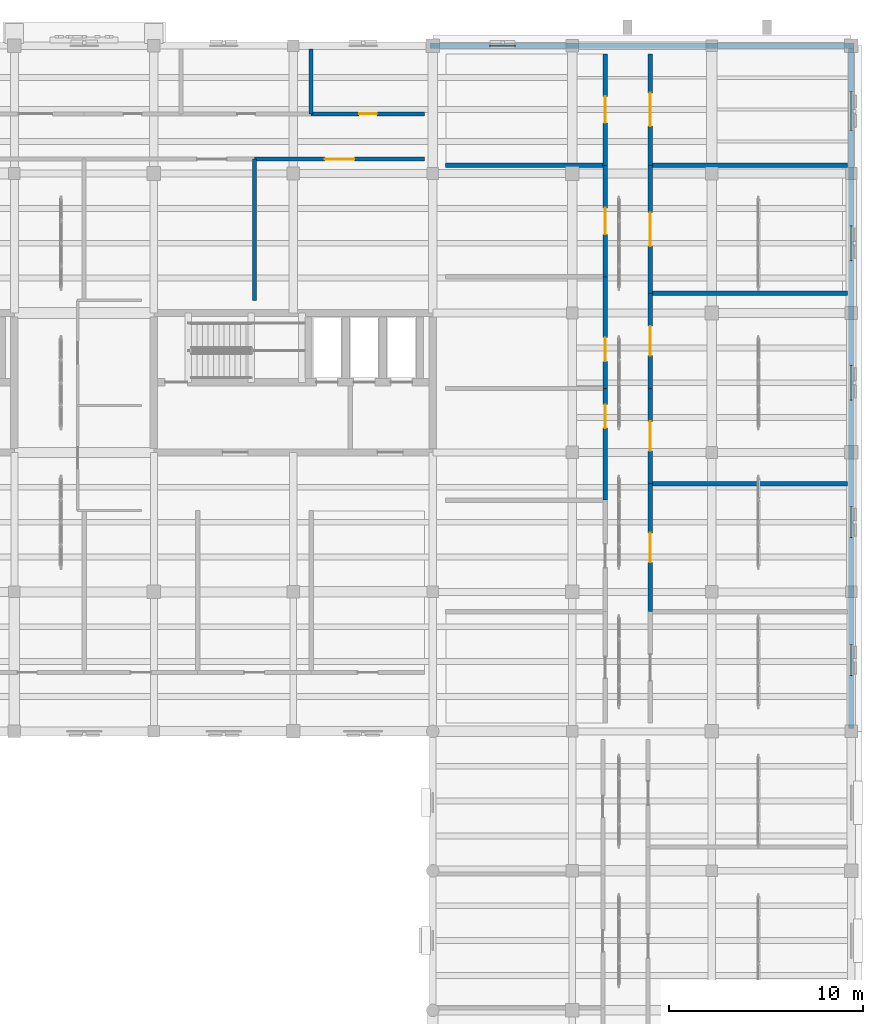
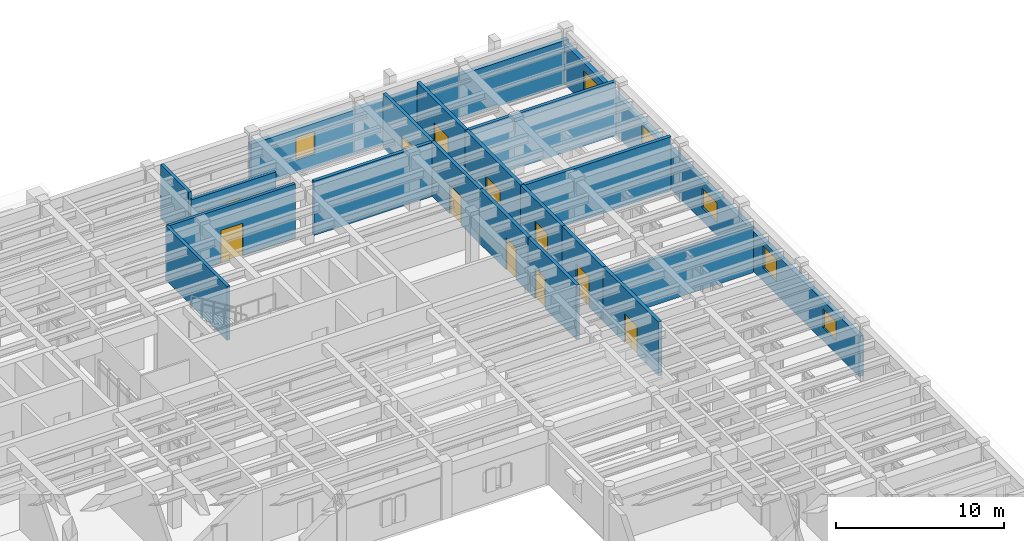
# One storey, part 54 of 66: 19 walls, 11 doors, 6 windows, 17 openings.
"""IFC4 building model written with IfcOpenShell, lengths in metres."""

from ifc_helpers import new_model, si_unit, direction, frame, frame_2d, origin, place, context, subcontext, project, spatial, rectangle, extrude, material, layer, layer_set, type_object, element, fill, save


model = new_model("IFC4")

# Units and contexts
model_context = context("Model", 3, precision=1e-05, world=origin(), true_north=direction((0.0, 1.0)))
body_context = subcontext(model_context, "Body", "Model", "MODEL_VIEW")
ifc_project = project(units=[si_unit("LENGTHUNIT", "METRE"), si_unit("AREAUNIT", "SQUARE_METRE"), si_unit("VOLUMEUNIT", "CUBIC_METRE"), si_unit("PLANEANGLEUNIT", "RADIAN"), si_unit("MASSUNIT", "GRAM", prefix="KILO")], contexts=[model_context])

# Site, building, storey
site_placement = place(None, origin())
site = spatial("IfcSite", under=ifc_project, at=site_placement, CompositionType="ELEMENT")
building_placement = place(site_placement, origin())
building = spatial("IfcBuilding", under=site, at=building_placement, Name="Mithqara Police Headquarters", CompositionType="ELEMENT")
storey_placement = place(building_placement, frame((0.0, 0.0, 9.60009765625)))
storey = spatial("IfcBuildingStorey", under=building, at=storey_placement, Name="L02", CompositionType="ELEMENT", Elevation=9.60009765625)

# Wall, openings, windows
ifc_material_1 = material(Name="Ochre masonry cavity wall, 35 MPa", Category="masonry")
ifc_layer_1 = layer(ifc_material_1, 0.300048828125, Name="Ochre masonry cavity wall, 35 MPa")
ifc_layer_set_1 = layer_set([ifc_layer_1], Name="Ochre masonry cavity wall, 35 MPa")
wall_type_1 = type_object("IfcWallType", Name="EXT WALL OCHRE BRICK300", PredefinedType="SOLIDWALL", material=ifc_layer_set_1)
wall_1_placement = place(storey_placement, frame((166.199951171875, 78.75, 0.0), z_axis=(0.0, 0.0, 1.0), x_axis=(0.0, 1.0, 0.0)))
wall_1 = element("IfcWall", 1, at=wall_1_placement, inside=storey, type_object=wall_type_1, Name="L02 Exterior Wall 8.1", PredefinedType="SOLIDWALL", context=body_context, shape_type="SweptSolid", body=[
    extrude(rectangle(XDim=35.10009765625, YDim=0.300048828125, at=frame_2d((17.550048828125, 0.0))), origin(), (0.0, 0.0, 1.0), 2.93994140625),
])
opening_1_placement = place(wall_1_placement, frame((2.72509765625, 0.0, 0.949951171875)))
opening_1 = element("IfcOpeningElement", 2, at=opening_1_placement, cuts=wall_1, Name="Opening W-26", PredefinedType="OPENING", context=body_context, shape_type="SweptSolid", body=[
    extrude(rectangle(XDim=1.60009765625, YDim=1.39990234375, at=frame_2d((0.800048828125, 0.699951171875))), frame((0.0, 0.16015625, 0.0), z_axis=(0.0, -1.0, 0.0), x_axis=(1.0, 0.0, 0.0)), (0.0, 0.0, 1.0), 0.320068359375),
])
opening_2_placement = place(wall_1_placement, frame((9.85009765625, 0.0, 0.949951171875)))
opening_2 = element("IfcOpeningElement", 3, at=opening_2_placement, cuts=wall_1, Name="Opening W-27", PredefinedType="OPENING", context=body_context, shape_type="SweptSolid", body=[
    extrude(rectangle(XDim=1.60009765625, YDim=1.64990234375, at=frame_2d((0.800048828125, 0.824951171875))), frame((0.0, 0.16015625, 0.0), z_axis=(0.0, -1.0, 0.0), x_axis=(1.0, 0.0, 0.0)), (0.0, 0.0, 1.0), 0.320068359375),
])
opening_3_placement = place(wall_1_placement, frame((16.949951171875, 0.0, 0.949951171875)))
opening_3 = element("IfcOpeningElement", 4, at=opening_3_placement, cuts=wall_1, Name="Opening W-31", PredefinedType="OPENING", context=body_context, shape_type="SweptSolid", body=[
    extrude(rectangle(XDim=1.800048828125, YDim=1.39990234375, at=frame_2d((0.89990234375, 0.699951171875))), frame((0.0, 0.16015625, 0.0), z_axis=(0.0, -1.0, 0.0), x_axis=(1.0, 0.0, 0.0)), (0.0, 0.0, 1.0), 0.320068359375),
])
opening_4_placement = place(wall_1_placement, frame((24.14990234375, 0.0, 0.949951171875)))
opening_4 = element("IfcOpeningElement", 5, at=opening_4_placement, cuts=wall_1, Name="Opening W-32", PredefinedType="OPENING", context=body_context, shape_type="SweptSolid", body=[
    extrude(rectangle(XDim=1.800048828125, YDim=1.64990234375, at=frame_2d((0.89990234375, 0.824951171875))), frame((0.0, 0.16015625, 0.0), z_axis=(0.0, -1.0, 0.0), x_axis=(1.0, 0.0, 0.0)), (0.0, 0.0, 1.0), 0.320068359375),
])
opening_5_placement = place(wall_1_placement, frame((30.875, 0.0, 0.949951171875)))
opening_5 = element("IfcOpeningElement", 6, at=opening_5_placement, cuts=wall_1, Name="Opening W-36", PredefinedType="OPENING", context=body_context, shape_type="SweptSolid", body=[
    extrude(rectangle(XDim=2.0, YDim=1.39990234375, at=frame_2d((1.0, 0.699951171875))), frame((0.0, 0.16015625, 0.0), z_axis=(0.0, -1.0, 0.0), x_axis=(1.0, 0.0, 0.0)), (0.0, 0.0, 1.0), 0.320068359375),
])
ifc_material_2 = material(Name="Spectrally selective double low-e glass", Category="glass")
window_type_1 = type_object("IfcWindowType", Name="WINDOW 1600X1400", PartitioningType="SINGLE_PANEL", PredefinedType="WINDOW", material=ifc_material_2)
window_1_placement = place(opening_1_placement, origin())
window_1 = element("IfcWindow", 7, at=window_1_placement, inside=storey, type_object=window_type_1, Name="L02 Command Block Screened Window 8.1", OverallHeight=1.39990234375, OverallWidth=1.60009765625, PartitioningType="SINGLE_PANEL", PredefinedType="WINDOW", context=body_context, shape_type="SweptSolid", body=[
    extrude(rectangle(XDim=1.60009765625, YDim=1.39990234375, at=frame_2d((0.800048828125, 0.699951171875))), frame((0.0, 0.030029296875, 0.0), z_axis=(0.0, -1.0, 0.0), x_axis=(1.0, 0.0, 0.0)), (0.0, 0.0, 1.0), 0.06005859375),
])
fill(opening_1, window_1)
window_type_2 = type_object("IfcWindowType", Name="WINDOW 1600X1650", PartitioningType="SINGLE_PANEL", PredefinedType="WINDOW", material=ifc_material_2)
window_2_placement = place(opening_2_placement, origin())
window_2 = element("IfcWindow", 8, at=window_2_placement, inside=storey, type_object=window_type_2, Name="L02 Command Block Screened Window 8.2", OverallHeight=1.64990234375, OverallWidth=1.60009765625, PartitioningType="SINGLE_PANEL", PredefinedType="WINDOW", context=body_context, shape_type="SweptSolid", body=[
    extrude(rectangle(XDim=1.60009765625, YDim=1.64990234375, at=frame_2d((0.800048828125, 0.824951171875))), frame((0.0, 0.030029296875, 0.0), z_axis=(0.0, -1.0, 0.0), x_axis=(1.0, 0.0, 0.0)), (0.0, 0.0, 1.0), 0.06005859375),
])
fill(opening_2, window_2)
window_type_3 = type_object("IfcWindowType", Name="WINDOW 1800X1400", PartitioningType="DOUBLE_PANEL_VERTICAL", PredefinedType="WINDOW", material=ifc_material_2)
window_3_placement = place(opening_3_placement, origin())
window_3 = element("IfcWindow", 9, at=window_3_placement, inside=storey, type_object=window_type_3, Name="L02 Command Block Screened Window 8.3", OverallHeight=1.39990234375, OverallWidth=1.800048828125, PartitioningType="SINGLE_PANEL", PredefinedType="WINDOW", context=body_context, shape_type="SweptSolid", body=[
    extrude(rectangle(XDim=1.800048828125, YDim=1.39990234375, at=frame_2d((0.89990234375, 0.699951171875))), frame((0.0, 0.030029296875, 0.0), z_axis=(0.0, -1.0, 0.0), x_axis=(1.0, 0.0, 0.0)), (0.0, 0.0, 1.0), 0.06005859375),
])
fill(opening_3, window_3)
window_type_4 = type_object("IfcWindowType", Name="WINDOW 1800X1650", PartitioningType="DOUBLE_PANEL_VERTICAL", PredefinedType="WINDOW", material=ifc_material_2)
window_4_placement = place(opening_4_placement, origin())
window_4 = element("IfcWindow", 10, at=window_4_placement, inside=storey, type_object=window_type_4, Name="L02 Command Block Screened Window 8.4", OverallHeight=1.64990234375, OverallWidth=1.800048828125, PartitioningType="SINGLE_PANEL", PredefinedType="WINDOW", context=body_context, shape_type="SweptSolid", body=[
    extrude(rectangle(XDim=1.800048828125, YDim=1.64990234375, at=frame_2d((0.89990234375, 0.824951171875))), frame((0.0, 0.030029296875, 0.0), z_axis=(0.0, -1.0, 0.0), x_axis=(1.0, 0.0, 0.0)), (0.0, 0.0, 1.0), 0.06005859375),
])
fill(opening_4, window_4)
window_type_5 = type_object("IfcWindowType", Name="WINDOW 2000X1400", PartitioningType="DOUBLE_PANEL_VERTICAL", PredefinedType="WINDOW", material=ifc_material_2)
window_5_placement = place(opening_5_placement, origin())
window_5 = element("IfcWindow", 11, at=window_5_placement, inside=storey, type_object=window_type_5, Name="L02 Command Block Screened Window 8.5", OverallHeight=1.39990234375, OverallWidth=2.0, PartitioningType="SINGLE_PANEL", PredefinedType="WINDOW", context=body_context, shape_type="SweptSolid", body=[
    extrude(rectangle(XDim=2.0, YDim=1.39990234375, at=frame_2d((1.0, 0.699951171875))), frame((0.0, 0.030029296875, 0.0), z_axis=(0.0, -1.0, 0.0), x_axis=(1.0, 0.0, 0.0)), (0.0, 0.0, 1.0), 0.06005859375),
])
fill(opening_5, window_5)

# Wall, opening, window
wall_2_placement = place(storey_placement, frame((166.35009765625, 114.0, 0.0), z_axis=(0.0, 0.0, 1.0), x_axis=(-1.0, 0.0, 0.0)))
wall_2 = element("IfcWall", 12, at=wall_2_placement, inside=storey, type_object=wall_type_1, Name="L02 Exterior Wall 9.1", PredefinedType="SOLIDWALL", context=body_context, shape_type="SweptSolid", body=[
    extrude(rectangle(XDim=21.900146484375, YDim=0.300048828125, at=frame_2d((10.9501953125, 0.0))), origin(), (0.0, 0.0, 1.0), 3.18994140625),
])
opening_6_placement = place(wall_2_placement, frame((17.5, 0.0, 0.949951171875)))
opening_6 = element("IfcOpeningElement", 13, at=opening_6_placement, cuts=wall_2, Name="Opening W-17", PredefinedType="OPENING", context=body_context, shape_type="SweptSolid", body=[
    extrude(rectangle(XDim=1.300048828125, YDim=1.64990234375, at=frame_2d((0.64990234375, 0.824951171875))), frame((0.0, 0.16015625, 0.0), z_axis=(0.0, -1.0, 0.0), x_axis=(1.0, 0.0, 0.0)), (0.0, 0.0, 1.0), 0.320068359375),
])
window_type_6 = type_object("IfcWindowType", Name="WINDOW 1300X1650", PartitioningType="SINGLE_PANEL", PredefinedType="WINDOW", material=ifc_material_2)
window_6_placement = place(opening_6_placement, origin())
window_6 = element("IfcWindow", 14, at=window_6_placement, inside=storey, type_object=window_type_6, Name="L02 Command Block Screened Window 9.1", OverallHeight=1.64990234375, OverallWidth=1.300048828125, PartitioningType="SINGLE_PANEL", PredefinedType="WINDOW", context=body_context, shape_type="SweptSolid", body=[
    extrude(rectangle(XDim=1.300048828125, YDim=1.64990234375, at=frame_2d((0.64990234375, 0.824951171875))), frame((0.0, 0.030029296875, 0.0), z_axis=(0.0, -1.0, 0.0), x_axis=(1.0, 0.0, 0.0)), (0.0, 0.0, 1.0), 0.06005859375),
])
fill(opening_6, window_6)

# Wall
ifc_material_3 = material(Name="Concrete C40/50", Category="concrete")
ifc_layer_2 = layer(ifc_material_3, 0.2099609375, Name="Concrete C40/50")
ifc_layer_set_2 = layer_set([ifc_layer_2], Name="Concrete C40/50")
wall_type_2 = type_object("IfcWallType", Name="PART WALL 210", PredefinedType="PARTITIONING", material=ifc_layer_set_2)
wall_3_placement = place(storey_placement, frame((135.389892578125, 100.85009765625, 0.0), z_axis=(0.0, 0.0, 1.0), x_axis=(0.0, 1.0, 0.0)))
element("IfcWall", 15, at=wall_3_placement, inside=storey, type_object=wall_type_2, Name="L02 Room Partition Operations Planning Room", PredefinedType="PARTITIONING", context=body_context, shape_type="SweptSolid", body=[
    extrude(rectangle(XDim=7.289794921875, YDim=0.2099609375, at=frame_2d((3.64501953125, 0.0))), origin(), (0.0, 0.0, 1.0), 3.93994140625),
])

# Wall, opening, door
wall_4_placement = place(storey_placement, frame((135.389892578125, 108.139892578125, 0.0), z_axis=(0.0, 0.0, 1.0), x_axis=(1.0, 0.0, 0.0)))
wall_4 = element("IfcWall", 16, at=wall_4_placement, inside=storey, type_object=wall_type_2, Name="L02 Corridor Wall Case Analysis Room", PredefinedType="PARTITIONING", context=body_context, shape_type="SweptSolid", body=[
    extrude(rectangle(XDim=8.7900390625, YDim=0.2099609375, at=frame_2d((4.39501953125, 0.0))), origin(), (0.0, 0.0, 1.0), 3.93994140625),
])
opening_7_placement = place(wall_4_placement, frame((3.635009765625, 0.0, 0.0)))
opening_7 = element("IfcOpeningElement", 17, at=opening_7_placement, cuts=wall_4, Name="Opening D-21", PredefinedType="OPENING", context=body_context, shape_type="SweptSolid", body=[
    extrude(rectangle(XDim=1.52001953125, YDim=2.35009765625, at=frame_2d((0.760009765625, 1.175048828125))), frame((0.0, 0.114990234375, 0.0), z_axis=(0.0, -1.0, 0.0), x_axis=(1.0, 0.0, 0.0)), (0.0, 0.0, 1.0), 0.22998046875),
])
ifc_material_4 = material(Name="Bronze anodised aluminium 6063-T6", Category="aluminium")
door_type_1 = type_object("IfcDoorType", Name="INT DOOR 1520X2350", OperationType="NOTDEFINED", PredefinedType="DOOR", material=ifc_material_4)
door_1_placement = place(opening_7_placement, frame((1.52001953125, 0.0, 0.0), z_axis=(0.0, 0.0, 1.0), x_axis=(-1.0, 0.0, 0.0)))
door_1 = element("IfcDoor", 18, at=door_1_placement, inside=storey, type_object=door_type_1, Name="Case Analysis Room Entry Door", OperationType="DOUBLE_DOOR_SINGLE_SWING", OverallHeight=2.35009765625, OverallWidth=1.52001953125, PredefinedType="DOOR", context=body_context, shape_type="SweptSolid", body=[
    extrude(rectangle(XDim=1.52001953125, YDim=2.35009765625, at=frame_2d((0.760009765625, 1.175048828125))), frame((0.0, 0.02490234375, 0.0), z_axis=(0.0, -1.0, 0.0), x_axis=(1.0, 0.0, 0.0)), (0.0, 0.0, 1.0), 0.050048828125),
])
fill(opening_7, door_1)

# Wall
wall_5_placement = place(storey_placement, frame((138.320068359375, 110.47998046875, 0.0), z_axis=(0.0, 0.0, 1.0), x_axis=(0.0, 1.0, 0.0)))
element("IfcWall", 19, at=wall_5_placement, inside=storey, type_object=wall_type_2, Name="L02 Room Partition Incident Briefing Room", PredefinedType="PARTITIONING", context=body_context, shape_type="SweptSolid", body=[
    extrude(rectangle(XDim=3.340087890625, YDim=0.2099609375, at=frame_2d((1.669921875, 0.0))), origin(), (0.0, 0.0, 1.0), 3.93994140625),
])

# Wall, opening, door
wall_6_placement = place(storey_placement, frame((138.320068359375, 110.47998046875, 0.0), z_axis=(0.0, 0.0, 1.0), x_axis=(1.0, 0.0, 0.0)))
wall_6 = element("IfcWall", 20, at=wall_6_placement, inside=storey, type_object=wall_type_2, Name="L02 Corridor Wall Public Affairs Coordination Office", PredefinedType="PARTITIONING", context=body_context, shape_type="SweptSolid", body=[
    extrude(rectangle(XDim=5.85986328125, YDim=0.2099609375, at=frame_2d((2.929931640625, 0.0))), origin(), (0.0, 0.0, 1.0), 3.389892578125),
])
opening_8_placement = place(wall_6_placement, frame((2.469970703125, 0.0, 0.0)))
opening_8 = element("IfcOpeningElement", 21, at=opening_8_placement, cuts=wall_6, Name="Opening D-03", PredefinedType="OPENING", context=body_context, shape_type="SweptSolid", body=[
    extrude(rectangle(XDim=0.919921875, YDim=2.35009765625, at=frame_2d((0.4599609375, 1.175048828125))), frame((0.0, 0.114990234375, 0.0), z_axis=(0.0, -1.0, 0.0), x_axis=(1.0, 0.0, 0.0)), (0.0, 0.0, 1.0), 0.22998046875),
])
ifc_material_5 = material(Name="Acoustic solid-core timber leaf", Category="wood")
door_type_2 = type_object("IfcDoorType", Name="INT DOOR 920X2350", OperationType="NOTDEFINED", PredefinedType="DOOR", material=ifc_material_5)
door_2_placement = place(opening_8_placement, origin())
door_2 = element("IfcDoor", 22, at=door_2_placement, inside=storey, type_object=door_type_2, Name="Public Affairs Coordination Office Entry Door", OperationType="SINGLE_SWING_RIGHT", OverallHeight=2.35009765625, OverallWidth=0.919921875, PredefinedType="DOOR", context=body_context, shape_type="SweptSolid", body=[
    extrude(rectangle(XDim=0.919921875, YDim=2.35009765625, at=frame_2d((0.4599609375, 1.175048828125))), frame((0.0, 0.02490234375, 0.0), z_axis=(0.0, -1.0, 0.0), x_axis=(1.0, 0.0, 0.0)), (0.0, 0.0, 1.0), 0.050048828125),
])
fill(opening_8, door_2)

ifc_layer_3 = layer(ifc_material_3, 0.22998046875, Name="Concrete C40/50")
ifc_layer_set_3 = layer_set([ifc_layer_3], Name="Concrete C40/50")
wall_type_3 = type_object("IfcWallType", Name="PART WALL 230", PredefinedType="PARTITIONING", material=ifc_layer_set_3)
wall_7_placement = place(storey_placement, frame((153.4951171875, 90.5400390625, 0.0), z_axis=(0.0, 0.0, 1.0), x_axis=(0.0, 1.0, 0.0)))
wall_7 = element("IfcWall", 23, at=wall_7_placement, inside=storey, type_object=wall_type_3, Name="L02 Corridor Wall Male Staff WC", PredefinedType="PARTITIONING", context=body_context, shape_type="SweptSolid", body=[
    extrude(rectangle(XDim=5.760009765625, YDim=0.22998046875, at=frame_2d((2.8798828125, 0.0))), origin(), (0.0, 0.0, 1.0), 3.93994140625),
])
opening_9_placement = place(wall_7_placement, frame((3.7099609375, 0.0, 0.0)))
opening_9 = element("IfcOpeningElement", 24, at=opening_9_placement, cuts=wall_7, Name="Opening D-14", PredefinedType="OPENING", context=body_context, shape_type="SweptSolid", body=[
    extrude(rectangle(XDim=1.219970703125, YDim=2.219970703125, at=frame_2d((0.60986328125, 1.10986328125))), frame((0.0, 0.125, 0.0), z_axis=(0.0, -1.0, 0.0), x_axis=(1.0, 0.0, 0.0)), (0.0, 0.0, 1.0), 0.25),
])
door_type_3 = type_object("IfcDoorType", Name="INT DOOR 1220X2220", OperationType="NOTDEFINED", PredefinedType="DOOR", material=ifc_material_5)
door_3_placement = place(opening_9_placement, frame((1.219970703125, 0.0, 0.0), z_axis=(0.0, 0.0, 1.0), x_axis=(-1.0, 0.0, 0.0)))
door_3 = element("IfcDoor", 25, at=door_3_placement, inside=storey, type_object=door_type_3, Name="Male Staff WC Entry Door", OperationType="SINGLE_SWING_LEFT", OverallHeight=2.219970703125, OverallWidth=1.219970703125, PredefinedType="DOOR", context=body_context, shape_type="SweptSolid", body=[
    extrude(rectangle(XDim=1.219970703125, YDim=2.219970703125, at=frame_2d((0.60986328125, 1.10986328125))), frame((0.0, 0.02490234375, 0.0), z_axis=(0.0, -1.0, 0.0), x_axis=(1.0, 0.0, 0.0)), (0.0, 0.0, 1.0), 0.050048828125),
])
fill(opening_9, door_3)

wall_8_placement = place(storey_placement, frame((153.4951171875, 96.300048828125, 0.0), z_axis=(0.0, 0.0, 1.0), x_axis=(0.0, 1.0, 0.0)))
wall_8 = element("IfcWall", 26, at=wall_8_placement, inside=storey, type_object=wall_type_3, Name="L02 Corridor Wall Female Staff WC", PredefinedType="PARTITIONING", context=body_context, shape_type="SweptSolid", body=[
    extrude(rectangle(XDim=5.760009765625, YDim=0.22998046875, at=frame_2d((2.8798828125, 0.0))), origin(), (0.0, 0.0, 1.0), 3.93994140625),
])
opening_10_placement = place(wall_8_placement, frame((1.406005859375, 0.0, 0.0)))
opening_10 = element("IfcOpeningElement", 27, at=opening_10_placement, cuts=wall_8, Name="Opening D-15", PredefinedType="OPENING", context=body_context, shape_type="SweptSolid", body=[
    extrude(rectangle(XDim=1.219970703125, YDim=2.35009765625, at=frame_2d((0.60986328125, 1.175048828125))), frame((0.0, 0.125, 0.0), z_axis=(0.0, -1.0, 0.0), x_axis=(1.0, 0.0, 0.0)), (0.0, 0.0, 1.0), 0.25),
])
door_type_4 = type_object("IfcDoorType", Name="INT DOOR 1220X2350", OperationType="NOTDEFINED", PredefinedType="DOOR", material=ifc_material_5)
door_4_placement = place(opening_10_placement, frame((1.219970703125, 0.0, 0.0), z_axis=(0.0, 0.0, 1.0), x_axis=(-1.0, 0.0, 0.0)))
door_4 = element("IfcDoor", 28, at=door_4_placement, inside=storey, type_object=door_type_4, Name="Female Staff WC Entry Door", OperationType="SINGLE_SWING_RIGHT", OverallHeight=2.35009765625, OverallWidth=1.219970703125, PredefinedType="DOOR", context=body_context, shape_type="SweptSolid", body=[
    extrude(rectangle(XDim=1.219970703125, YDim=2.35009765625, at=frame_2d((0.60986328125, 1.175048828125))), frame((0.0, 0.02490234375, 0.0), z_axis=(0.0, -1.0, 0.0), x_axis=(1.0, 0.0, 0.0)), (0.0, 0.0, 1.0), 0.050048828125),
])
fill(opening_10, door_4)

wall_9_placement = place(storey_placement, frame((153.4951171875, 102.06005859375, 0.0), z_axis=(0.0, 0.0, 1.0), x_axis=(0.0, 1.0, 0.0)))
wall_9 = element("IfcWall", 29, at=wall_9_placement, inside=storey, type_object=wall_type_3, Name="L02 Corridor Wall Accessible WC", PredefinedType="PARTITIONING", context=body_context, shape_type="SweptSolid", body=[
    extrude(rectangle(XDim=5.760009765625, YDim=0.22998046875, at=frame_2d((2.8798828125, 0.0))), origin(), (0.0, 0.0, 1.0), 3.93994140625),
])
opening_11_placement = place(wall_9_placement, frame((2.199951171875, 0.0, 0.0)))
opening_11 = element("IfcOpeningElement", 30, at=opening_11_placement, cuts=wall_9, Name="Opening D-16", PredefinedType="OPENING", context=body_context, shape_type="SweptSolid", body=[
    extrude(rectangle(XDim=1.360107421875, YDim=2.10009765625, at=frame_2d((0.68017578125, 1.050048828125))), frame((0.0, 0.125, 0.0), z_axis=(0.0, -1.0, 0.0), x_axis=(1.0, 0.0, 0.0)), (0.0, 0.0, 1.0), 0.25),
])
door_type_5 = type_object("IfcDoorType", Name="INT DOOR 1360X2100", OperationType="NOTDEFINED", PredefinedType="DOOR", material=ifc_material_4)
door_5_placement = place(opening_11_placement, frame((1.360107421875, 0.0, 0.0), z_axis=(0.0, 0.0, 1.0), x_axis=(-1.0, 0.0, 0.0)))
door_5 = element("IfcDoor", 31, at=door_5_placement, inside=storey, type_object=door_type_5, Name="Accessible WC Entry Door", OperationType="SINGLE_SWING_LEFT", OverallHeight=2.10009765625, OverallWidth=1.360107421875, PredefinedType="DOOR", context=body_context, shape_type="SweptSolid", body=[
    extrude(rectangle(XDim=1.360107421875, YDim=2.10009765625, at=frame_2d((0.68017578125, 1.050048828125))), frame((0.0, 0.02490234375, 0.0), z_axis=(0.0, -1.0, 0.0), x_axis=(1.0, 0.0, 0.0)), (0.0, 0.0, 1.0), 0.050048828125),
])
fill(opening_11, door_5)

# Wall
wall_10_placement = place(storey_placement, frame((145.25, 107.820068359375, 0.0), z_axis=(0.0, 0.0, 1.0), x_axis=(1.0, 0.0, 0.0)))
element("IfcWall", 32, at=wall_10_placement, inside=storey, type_object=wall_type_3, Name="L02 Room Partition Accessible WC", PredefinedType="PARTITIONING", context=body_context, shape_type="SweptSolid", body=[
    extrude(rectangle(XDim=8.2451171875, YDim=0.22998046875, at=frame_2d((4.12255859375, 0.0))), origin(), (0.0, 0.0, 1.0), 3.93994140625),
])

# Wall, opening, door
wall_11_placement = place(storey_placement, frame((153.4951171875, 107.820068359375, 0.0), z_axis=(0.0, 0.0, 1.0), x_axis=(0.0, 1.0, 0.0)))
wall_11 = element("IfcWall", 33, at=wall_11_placement, inside=storey, type_object=wall_type_3, Name="L02 Corridor Wall Emergency Preparedness Suite", PredefinedType="PARTITIONING", context=body_context, shape_type="SweptSolid", body=[
    extrude(rectangle(XDim=5.760009765625, YDim=0.22998046875, at=frame_2d((2.8798828125, 0.0))), origin(), (0.0, 0.0, 1.0), 3.93994140625),
])
opening_12_placement = place(wall_11_placement, frame((2.199951171875, 0.0, 0.0)))
opening_12 = element("IfcOpeningElement", 34, at=opening_12_placement, cuts=wall_11, Name="Opening D-17", PredefinedType="OPENING", context=body_context, shape_type="SweptSolid", body=[
    extrude(rectangle(XDim=1.360107421875, YDim=2.219970703125, at=frame_2d((0.68017578125, 1.10986328125))), frame((0.0, 0.125, 0.0), z_axis=(0.0, -1.0, 0.0), x_axis=(1.0, 0.0, 0.0)), (0.0, 0.0, 1.0), 0.25),
])
door_type_6 = type_object("IfcDoorType", Name="INT DOOR 1360X2220", OperationType="NOTDEFINED", PredefinedType="DOOR", material=ifc_material_4)
door_6_placement = place(opening_12_placement, frame((1.360107421875, 0.0, 0.0), z_axis=(0.0, 0.0, 1.0), x_axis=(-1.0, 0.0, 0.0)))
door_6 = element("IfcDoor", 35, at=door_6_placement, inside=storey, type_object=door_type_6, Name="Emergency Preparedness Suite Entry Door", OperationType="SINGLE_SWING_RIGHT", OverallHeight=2.219970703125, OverallWidth=1.360107421875, PredefinedType="DOOR", context=body_context, shape_type="SweptSolid", body=[
    extrude(rectangle(XDim=1.360107421875, YDim=2.219970703125, at=frame_2d((0.68017578125, 1.10986328125))), frame((0.0, 0.02490234375, 0.0), z_axis=(0.0, -1.0, 0.0), x_axis=(1.0, 0.0, 0.0)), (0.0, 0.0, 1.0), 0.050048828125),
])
fill(opening_12, door_6)

wall_12_placement = place(storey_placement, frame((155.8349609375, 84.780029296875, 0.0), z_axis=(0.0, 0.0, 1.0), x_axis=(0.0, 1.0, 0.0)))
wall_12 = element("IfcWall", 36, at=wall_12_placement, inside=storey, type_object=wall_type_3, Name="L02 Corridor Wall Male Staff WC", PredefinedType="PARTITIONING", context=body_context, shape_type="SweptSolid", body=[
    extrude(rectangle(XDim=6.60986328125, YDim=0.22998046875, at=frame_2d((3.304931640625, 0.0))), origin(), (0.0, 0.0, 1.0), 3.93994140625),
])
opening_13_placement = place(wall_12_placement, frame((2.544921875, 0.0, 0.0)))
opening_13 = element("IfcOpeningElement", 37, at=opening_13_placement, cuts=wall_12, Name="Opening D-19", PredefinedType="OPENING", context=body_context, shape_type="SweptSolid", body=[
    extrude(rectangle(XDim=1.52001953125, YDim=2.10009765625, at=frame_2d((0.760009765625, 1.050048828125))), frame((0.0, 0.125, 0.0), z_axis=(0.0, -1.0, 0.0), x_axis=(1.0, 0.0, 0.0)), (0.0, 0.0, 1.0), 0.25),
])
door_type_7 = type_object("IfcDoorType", Name="INT DOOR 1520X2100", OperationType="NOTDEFINED", PredefinedType="DOOR", material=ifc_material_4)
door_7_placement = place(opening_13_placement, origin())
door_7 = element("IfcDoor", 38, at=door_7_placement, inside=storey, type_object=door_type_7, Name="Male Staff WC Entry Door", OperationType="DOUBLE_DOOR_SINGLE_SWING", OverallHeight=2.10009765625, OverallWidth=1.52001953125, PredefinedType="DOOR", context=body_context, shape_type="SweptSolid", body=[
    extrude(rectangle(XDim=1.52001953125, YDim=2.10009765625, at=frame_2d((0.760009765625, 1.050048828125))), frame((0.0, 0.02490234375, 0.0), z_axis=(0.0, -1.0, 0.0), x_axis=(1.0, 0.0, 0.0)), (0.0, 0.0, 1.0), 0.050048828125),
])
fill(opening_13, door_7)

# Wall
wall_13_placement = place(storey_placement, frame((155.8349609375, 91.389892578125, 0.0), z_axis=(0.0, 0.0, 1.0), x_axis=(1.0, 0.0, 0.0)))
element("IfcWall", 39, at=wall_13_placement, inside=storey, type_object=wall_type_3, Name="L02 Room Partition Male Staff WC", PredefinedType="PARTITIONING", context=body_context, shape_type="SweptSolid", body=[
    extrude(rectangle(XDim=10.18505859375, YDim=0.22998046875, at=frame_2d((5.092529296875, 0.0))), origin(), (0.0, 0.0, 1.0), 3.389892578125),
])

# Wall, opening, door
wall_14_placement = place(storey_placement, frame((155.8349609375, 91.389892578125, 0.0), z_axis=(0.0, 0.0, 1.0), x_axis=(0.0, 1.0, 0.0)))
wall_14 = element("IfcWall", 40, at=wall_14_placement, inside=storey, type_object=wall_type_3, Name="L02 Corridor Wall Emergency Preparedness Suite", PredefinedType="PARTITIONING", context=body_context, shape_type="SweptSolid", body=[
    extrude(rectangle(XDim=4.91015625, YDim=0.22998046875, at=frame_2d((2.455078125, 0.0))), origin(), (0.0, 0.0, 1.0), 3.93994140625),
])
opening_14_placement = place(wall_14_placement, frame((1.695068359375, 0.0, 0.0)))
opening_14 = element("IfcOpeningElement", 41, at=opening_14_placement, cuts=wall_14, Name="Opening D-20", PredefinedType="OPENING", context=body_context, shape_type="SweptSolid", body=[
    extrude(rectangle(XDim=1.52001953125, YDim=2.219970703125, at=frame_2d((0.760009765625, 1.10986328125))), frame((0.0, 0.125, 0.0), z_axis=(0.0, -1.0, 0.0), x_axis=(1.0, 0.0, 0.0)), (0.0, 0.0, 1.0), 0.25),
])
door_type_8 = type_object("IfcDoorType", Name="INT DOOR 1520X2220", OperationType="NOTDEFINED", PredefinedType="DOOR", material=ifc_material_4)
door_8_placement = place(opening_14_placement, origin())
door_8 = element("IfcDoor", 42, at=door_8_placement, inside=storey, type_object=door_type_8, Name="Emergency Preparedness Suite Entry Door", OperationType="DOUBLE_DOOR_SINGLE_SWING", OverallHeight=2.219970703125, OverallWidth=1.52001953125, PredefinedType="DOOR", context=body_context, shape_type="SweptSolid", body=[
    extrude(rectangle(XDim=1.52001953125, YDim=2.219970703125, at=frame_2d((0.760009765625, 1.10986328125))), frame((0.0, 0.02490234375, 0.0), z_axis=(0.0, -1.0, 0.0), x_axis=(1.0, 0.0, 0.0)), (0.0, 0.0, 1.0), 0.050048828125),
])
fill(opening_14, door_8)

wall_15_placement = place(storey_placement, frame((155.8349609375, 96.300048828125, 0.0), z_axis=(0.0, 0.0, 1.0), x_axis=(0.0, 1.0, 0.0)))
wall_15 = element("IfcWall", 43, at=wall_15_placement, inside=storey, type_object=wall_type_3, Name="L02 Corridor Wall Emergency Preparedness Suite", PredefinedType="PARTITIONING", context=body_context, shape_type="SweptSolid", body=[
    extrude(rectangle(XDim=4.909912109375, YDim=0.22998046875, at=frame_2d((2.455078125, 0.0))), origin(), (0.0, 0.0, 1.0), 3.93994140625),
])
opening_15_placement = place(wall_15_placement, frame((1.695068359375, 0.0, 0.0)))
opening_15 = element("IfcOpeningElement", 44, at=opening_15_placement, cuts=wall_15, Name="Opening D-21", PredefinedType="OPENING", context=body_context, shape_type="SweptSolid", body=[
    extrude(rectangle(XDim=1.52001953125, YDim=2.35009765625, at=frame_2d((0.760009765625, 1.175048828125))), frame((0.0, 0.125, 0.0), z_axis=(0.0, -1.0, 0.0), x_axis=(1.0, 0.0, 0.0)), (0.0, 0.0, 1.0), 0.25),
])
door_9_placement = place(opening_15_placement, origin())
door_9 = element("IfcDoor", 45, at=door_9_placement, inside=storey, type_object=door_type_1, Name="Emergency Preparedness Suite Entry Door", OperationType="DOUBLE_DOOR_SINGLE_SWING", OverallHeight=2.35009765625, OverallWidth=1.52001953125, PredefinedType="DOOR", context=body_context, shape_type="SweptSolid", body=[
    extrude(rectangle(XDim=1.52001953125, YDim=2.35009765625, at=frame_2d((0.760009765625, 1.175048828125))), frame((0.0, 0.02490234375, 0.0), z_axis=(0.0, -1.0, 0.0), x_axis=(1.0, 0.0, 0.0)), (0.0, 0.0, 1.0), 0.050048828125),
])
fill(opening_15, door_9)

# Wall
wall_16_placement = place(storey_placement, frame((155.8349609375, 101.2099609375, 0.0), z_axis=(0.0, 0.0, 1.0), x_axis=(1.0, 0.0, 0.0)))
element("IfcWall", 46, at=wall_16_placement, inside=storey, type_object=wall_type_3, Name="L02 Room Partition Emergency Preparedness Suite", PredefinedType="PARTITIONING", context=body_context, shape_type="SweptSolid", body=[
    extrude(rectangle(XDim=10.18505859375, YDim=0.22998046875, at=frame_2d((5.092529296875, 0.0))), origin(), (0.0, 0.0, 1.0), 3.93994140625),
])

# Wall, opening, door
wall_17_placement = place(storey_placement, frame((155.8349609375, 101.2099609375, 0.0), z_axis=(0.0, 0.0, 1.0), x_axis=(0.0, 1.0, 0.0)))
wall_17 = element("IfcWall", 47, at=wall_17_placement, inside=storey, type_object=wall_type_3, Name="L02 Corridor Wall Emergency Preparedness Suite", PredefinedType="PARTITIONING", context=body_context, shape_type="SweptSolid", body=[
    extrude(rectangle(XDim=6.610107421875, YDim=0.22998046875, at=frame_2d((3.30517578125, 0.0))), origin(), (0.0, 0.0, 1.0), 3.93994140625),
])
opening_16_placement = place(wall_17_placement, frame((2.445068359375, 0.0, 0.0)))
opening_16 = element("IfcOpeningElement", 48, at=opening_16_placement, cuts=wall_17, Name="Opening D-22", PredefinedType="OPENING", context=body_context, shape_type="SweptSolid", body=[
    extrude(rectangle(XDim=1.719970703125, YDim=2.10009765625, at=frame_2d((0.85986328125, 1.050048828125))), frame((0.0, 0.125, 0.0), z_axis=(0.0, -1.0, 0.0), x_axis=(1.0, 0.0, 0.0)), (0.0, 0.0, 1.0), 0.25),
])
door_type_9 = type_object("IfcDoorType", Name="INT DOOR 1720X2100", OperationType="NOTDEFINED", PredefinedType="DOOR", material=ifc_material_4)
door_10_placement = place(opening_16_placement, origin())
door_10 = element("IfcDoor", 49, at=door_10_placement, inside=storey, type_object=door_type_9, Name="Emergency Preparedness Suite Entry Door", OperationType="DOUBLE_DOOR_SINGLE_SWING", OverallHeight=2.10009765625, OverallWidth=1.719970703125, PredefinedType="DOOR", context=body_context, shape_type="SweptSolid", body=[
    extrude(rectangle(XDim=1.719970703125, YDim=2.10009765625, at=frame_2d((0.85986328125, 1.050048828125))), frame((0.0, 0.02490234375, 0.0), z_axis=(0.0, -1.0, 0.0), x_axis=(1.0, 0.0, 0.0)), (0.0, 0.0, 1.0), 0.050048828125),
])
fill(opening_16, door_10)

# Wall
wall_18_placement = place(storey_placement, frame((155.8349609375, 107.820068359375, 0.0), z_axis=(0.0, 0.0, 1.0), x_axis=(1.0, 0.0, 0.0)))
element("IfcWall", 50, at=wall_18_placement, inside=storey, type_object=wall_type_3, Name="L02 Room Partition Emergency Preparedness Suite", PredefinedType="PARTITIONING", context=body_context, shape_type="SweptSolid", body=[
    extrude(rectangle(XDim=10.18505859375, YDim=0.22998046875, at=frame_2d((5.092529296875, 0.0))), origin(), (0.0, 0.0, 1.0), 3.93994140625),
])

# Wall, opening, door
wall_19_placement = place(storey_placement, frame((155.8349609375, 107.820068359375, 0.0), z_axis=(0.0, 0.0, 1.0), x_axis=(0.0, 1.0, 0.0)))
wall_19 = element("IfcWall", 51, at=wall_19_placement, inside=storey, type_object=wall_type_3, Name="L02 Corridor Wall Event Policing Operations Room", PredefinedType="PARTITIONING", context=body_context, shape_type="SweptSolid", body=[
    extrude(rectangle(XDim=5.760009765625, YDim=0.22998046875, at=frame_2d((2.8798828125, 0.0))), origin(), (0.0, 0.0, 1.0), 3.93994140625),
])
opening_17_placement = place(wall_19_placement, frame((2.02001953125, 0.0, 0.0)))
opening_17 = element("IfcOpeningElement", 52, at=opening_17_placement, cuts=wall_19, Name="Opening D-23", PredefinedType="OPENING", context=body_context, shape_type="SweptSolid", body=[
    extrude(rectangle(XDim=1.719970703125, YDim=2.219970703125, at=frame_2d((0.85986328125, 1.10986328125))), frame((0.0, 0.125, 0.0), z_axis=(0.0, -1.0, 0.0), x_axis=(1.0, 0.0, 0.0)), (0.0, 0.0, 1.0), 0.25),
])
door_type_10 = type_object("IfcDoorType", Name="INT DOOR 1720X2220", OperationType="NOTDEFINED", PredefinedType="DOOR", material=ifc_material_4)
door_11_placement = place(opening_17_placement, origin())
door_11 = element("IfcDoor", 53, at=door_11_placement, inside=storey, type_object=door_type_10, Name="Event Policing Operations Room Entry Door", OperationType="DOUBLE_DOOR_SINGLE_SWING", OverallHeight=2.219970703125, OverallWidth=1.719970703125, PredefinedType="DOOR", context=body_context, shape_type="SweptSolid", body=[
    extrude(rectangle(XDim=1.719970703125, YDim=2.219970703125, at=frame_2d((0.85986328125, 1.10986328125))), frame((0.0, 0.02490234375, 0.0), z_axis=(0.0, -1.0, 0.0), x_axis=(1.0, 0.0, 0.0)), (0.0, 0.0, 1.0), 0.050048828125),
])
fill(opening_17, door_11)

save(model, "model.ifc")
